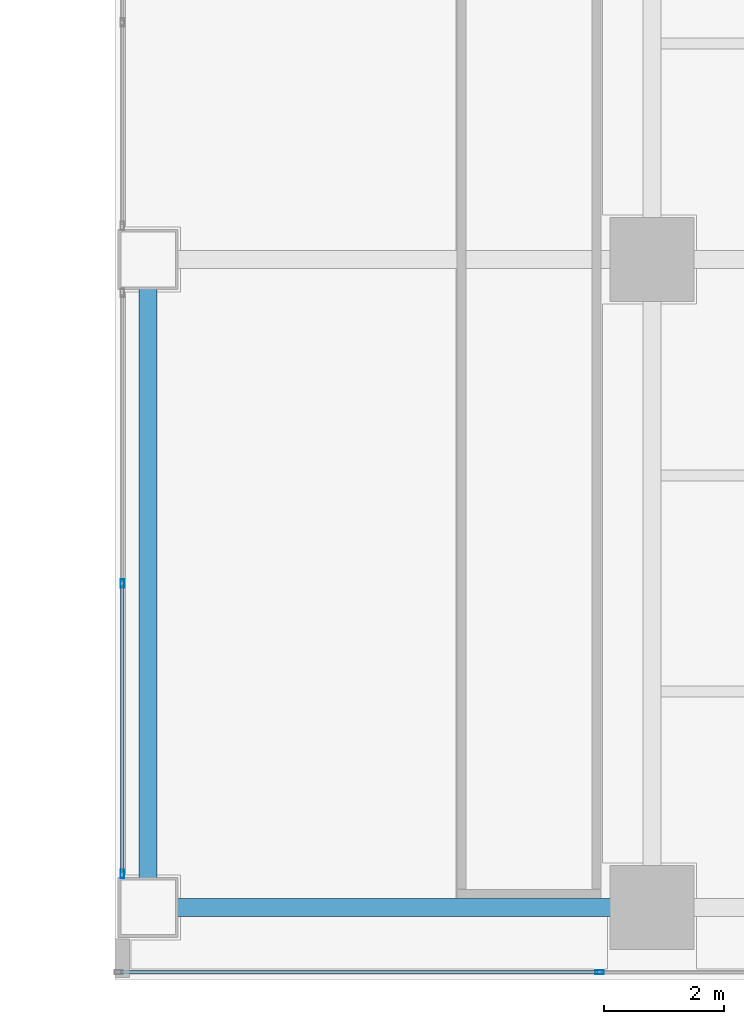
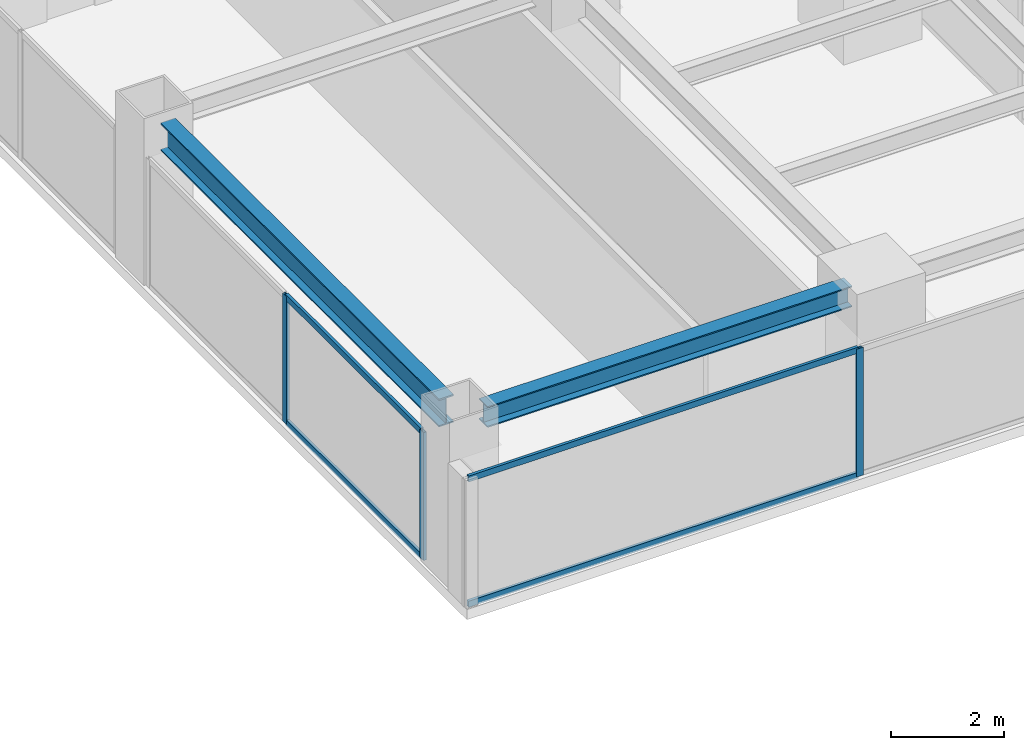
# One storey, part 12 of 28: 7 members, 2 beams, 2 elements without a shape of their own.
"""IFC4 building model written with IfcOpenShell, lengths in metres."""

from ifc_helpers import new_model, si_unit, direction, frame, origin, origin_2d, place, context, subcontext, project, spatial, hollow_rectangle, i_section, extrude, source, transform, mapped, material, layer, layer_set, material_profile, profile_set, type_object, element, aggregate, save


model = new_model("IFC4")

# Units and contexts
model_context = context("Model", 3, precision=1e-05, world=origin(), true_north=direction((0.0, 1.0)))
body_context = subcontext(model_context, "Body", "Model", "MODEL_VIEW")
ifc_project = project(units=[si_unit("LENGTHUNIT", "METRE"), si_unit("AREAUNIT", "SQUARE_METRE"), si_unit("VOLUMEUNIT", "CUBIC_METRE"), si_unit("PLANEANGLEUNIT", "RADIAN"), si_unit("MASSUNIT", "GRAM", prefix="KILO")], contexts=[model_context])

# Site, building, storey
site_placement = place(None, origin())
site = spatial("IfcSite", under=ifc_project, at=site_placement, CompositionType="ELEMENT")
building_placement = place(site_placement, origin())
building = spatial("IfcBuilding", under=site, at=building_placement, Name="Sumidabori Civic Tower", CompositionType="ELEMENT")
storey_placement = place(building_placement, frame((0.0, 0.0, 210.800048828125)))
storey = spatial("IfcBuildingStorey", under=building, at=storey_placement, Name="L54", CompositionType="ELEMENT", Elevation=210.800048828125)

# Beams
ifc_material_1 = material(Name="Steel SN490", Category="steel")
ifc_material_profile_1 = material_profile(ifc_material_1, i_section(OverallWidth=0.300048828125, OverallDepth=0.60009765625, WebThickness=0.015380859375, FlangeThickness=0.030029296875, at=origin_2d()), Name="HE 600 B")
ifc_profile_set_1 = profile_set([ifc_material_profile_1], Name="Steel SN490")
beam_type_1 = type_object("IfcBeamType", Name="BM-GIRD-600", PredefinedType="BEAM", material=ifc_profile_set_1)
shared_shape_1 = source(origin(), body_context, "Body", "SweptSolid", [
    extrude(i_section(OverallWidth=0.300048828125, OverallDepth=0.60009765625, WebThickness=0.015380859375, FlangeThickness=0.030029296875, at=origin_2d()), origin(), (0.0, 0.0, 1.0), 9.840087890625),
])
beam_1_placement = place(storey_placement, frame((8.39990234375, -10.320068359375, 3.079833984375), z_axis=(0.0, 1.0, 0.0), x_axis=(-1.0, 0.0, 0.0)))
element("IfcBeam", 1, at=beam_1_placement, inside=storey, type_object=beam_type_1, Name="Primary Girder L54 GY-18", PredefinedType="BEAM", context=body_context, shape_type="MappedRepresentation", body=[
    mapped(shared_shape_1, transform((0.0, 0.0, 0.0), x_axis=(1.0, 0.0, 0.0), y_axis=(0.0, 1.0, 0.0), z_axis=(0.0, 0.0, 1.0), scale=1.0)),
])
ifc_material_profile_2 = material_profile(ifc_material_1, i_section(OverallWidth=0.300048828125, OverallDepth=0.449951171875, WebThickness=0.013916015625, FlangeThickness=0.02587890625, at=origin_2d()), Name="HE 450 B")
ifc_profile_set_2 = profile_set([ifc_material_profile_2], Name="Steel SN490")
beam_type_2 = type_object("IfcBeamType", Name="BM-GIRD-450", PredefinedType="BEAM", material=ifc_profile_set_2)
shared_shape_2 = source(origin(), body_context, "Body", "SweptSolid", [
    extrude(i_section(OverallWidth=0.300048828125, OverallDepth=0.449951171875, WebThickness=0.013916015625, FlangeThickness=0.02587890625, at=origin_2d()), origin(), (0.0, 0.0, 1.0), 7.440185546875),
])
beam_2_placement = place(storey_placement, frame((8.8798828125, -10.800048828125, 3.155029296875), z_axis=(1.0, 0.0, 0.0), x_axis=(0.0, 1.0, 0.0)))
element("IfcBeam", 2, at=beam_2_placement, inside=storey, type_object=beam_type_2, Name="Primary Girder L54 GX-03", PredefinedType="BEAM", context=body_context, shape_type="MappedRepresentation", body=[
    mapped(shared_shape_2, transform((0.0, 0.0, 0.0), x_axis=(1.0, 0.0, 0.0), y_axis=(0.0, 1.0, 0.0), z_axis=(0.0, 0.0, 1.0), scale=1.0)),
])

# Curtain wall, members
ifc_material_2 = material(Name="Anodised Bronze Aluminium AW-6063-T6", Category="aluminium")
ifc_layer_1 = layer(ifc_material_2, 0.179931640625, Name="Anodised Bronze Aluminium AW-6063-T6")
ifc_layer_set_1 = layer_set([ifc_layer_1], Name="Anodised Bronze Aluminium AW-6063-T6")
curtain_wall_type_1 = type_object("IfcCurtainWallType", Name="CW-SYS-4", PredefinedType="NOTDEFINED", material=ifc_layer_set_1)
curtain_wall_1_placement = place(storey_placement, origin())
curtain_wall_1 = element("IfcCurtainWall", 3, at=curtain_wall_1_placement, inside=storey, type_object=curtain_wall_type_1, Name="Curtain Wall CW:L54:R07", PredefinedType="NOTDEFINED")
ifc_material_profile_3 = material_profile(ifc_material_2, hollow_rectangle(XDim=0.06005859375, YDim=0.139892578125, WallThickness=0.0048828125, at=origin_2d()), Name="ALU MULLION 140x60")
ifc_profile_set_3 = profile_set([ifc_material_profile_3], Name="Anodised Bronze Aluminium AW-6063-T6")
member_type_1 = type_object("IfcMemberType", Name="CW-MUL-140", PredefinedType="MULLION", material=ifc_profile_set_3)
shared_shape_3 = source(origin(), body_context, "Body", "SweptSolid", [
    extrude(hollow_rectangle(XDim=0.06005859375, YDim=0.139892578125, WallThickness=0.0048828125, at=origin_2d()), origin(), (0.0, 0.0, 1.0), 2.760009765625),
])
member_1_placement = place(storey_placement, frame((7.969970703125, -5.39990234375, 0.0), z_axis=(0.0, 0.0, 1.0), x_axis=(1.0, 0.0, 0.0)))
member_1 = element("IfcMember", 4, at=member_1_placement, type_object=member_type_1, Name="CW-4 mullion 2", PredefinedType="MULLION", context=body_context, shape_type="MappedRepresentation", body=[
    mapped(shared_shape_3, transform((0.0, 0.0, 0.0), x_axis=(1.0, 0.0, 0.0), y_axis=(0.0, 1.0, 0.0), z_axis=(0.0, 0.0, 1.0), scale=1.0)),
])
member_2_placement = place(storey_placement, frame((7.969970703125, -10.239990234375, 0.0), z_axis=(0.0, 0.0, 1.0), x_axis=(1.0, 0.0, 0.0)))
member_2 = element("IfcMember", 5, at=member_2_placement, type_object=member_type_1, Name="CW-4 mullion 3", PredefinedType="MULLION", context=body_context, shape_type="MappedRepresentation", body=[
    mapped(shared_shape_3, transform((0.0, 0.0, 0.0), x_axis=(1.0, 0.0, 0.0), y_axis=(0.0, 1.0, 0.0), z_axis=(0.0, 0.0, 1.0), scale=1.0)),
])

ifc_layer_2 = layer(ifc_material_2, 0.179931640625, Name="Anodised Bronze Aluminium AW-6063-T6")
ifc_layer_set_2 = layer_set([ifc_layer_2], Name="Anodised Bronze Aluminium AW-6063-T6")
curtain_wall_type_2 = type_object("IfcCurtainWallType", Name="CW-SYS-5", PredefinedType="NOTDEFINED", material=ifc_layer_set_2)
curtain_wall_2_placement = place(storey_placement, origin())
curtain_wall_2 = element("IfcCurtainWall", 6, at=curtain_wall_2_placement, inside=storey, type_object=curtain_wall_type_2, Name="Curtain Wall CW:L54:R09", PredefinedType="NOTDEFINED")
member_3_placement = place(storey_placement, frame((15.925048828125, -11.8798828125, 0.0), z_axis=(0.0, 0.0, 1.0), x_axis=(0.0, 1.0, 0.0)))
member_3 = element("IfcMember", 7, at=member_3_placement, type_object=member_type_1, Name="CW-5 mullion 2", PredefinedType="MULLION", context=body_context, shape_type="MappedRepresentation", body=[
    mapped(shared_shape_3, transform((0.0, 0.0, 0.0), x_axis=(1.0, 0.0, 0.0), y_axis=(0.0, 1.0, 0.0), z_axis=(0.0, 0.0, 1.0), scale=1.0)),
])
ifc_material_profile_4 = material_profile(ifc_material_2, hollow_rectangle(XDim=0.06005859375, YDim=0.1298828125, WallThickness=0.0048828125, at=origin_2d()), Name="ALU TRANSOM 130x60")
ifc_profile_set_4 = profile_set([ifc_material_profile_4], Name="Anodised Bronze Aluminium AW-6063-T6")
member_type_2 = type_object("IfcMemberType", Name="CW-TRN-130", PredefinedType="USERDEFINED", material=ifc_profile_set_4)
shared_shape_4 = source(origin(), body_context, "Body", "SweptSolid", [
    extrude(hollow_rectangle(XDim=0.06005859375, YDim=0.1298828125, WallThickness=0.0048828125, at=origin_2d()), origin(), (0.0, 0.0, 1.0), 7.955078125),
])
member_4_placement = place(storey_placement, frame((7.93994140625, -11.8798828125, 0.030029296875), z_axis=(1.0, 0.0, 0.0), x_axis=(0.0, 1.0, 0.0)))
member_4 = element("IfcMember", 8, at=member_4_placement, type_object=member_type_2, Name="CW-5 transom 1.1", ObjectType="TRANSOM", PredefinedType="USERDEFINED", context=body_context, shape_type="MappedRepresentation", body=[
    mapped(shared_shape_4, transform((0.0, 0.0, 0.0), x_axis=(1.0, 0.0, 0.0), y_axis=(0.0, 1.0, 0.0), z_axis=(0.0, 0.0, 1.0), scale=1.0)),
])
member_5_placement = place(storey_placement, frame((7.93994140625, -11.8798828125, 2.72998046875), z_axis=(1.0, 0.0, 0.0), x_axis=(0.0, 1.0, 0.0)))
member_5 = element("IfcMember", 9, at=member_5_placement, type_object=member_type_2, Name="CW-5 transom 1.2", ObjectType="TRANSOM", PredefinedType="USERDEFINED", context=body_context, shape_type="MappedRepresentation", body=[
    mapped(shared_shape_4, transform((0.0, 0.0, 0.0), x_axis=(1.0, 0.0, 0.0), y_axis=(0.0, 1.0, 0.0), z_axis=(0.0, 0.0, 1.0), scale=1.0)),
])
aggregate(curtain_wall_2, [member_3, member_4, member_5])

# Member
shared_shape_5 = source(origin(), body_context, "Body", "SweptSolid", [
    extrude(hollow_rectangle(XDim=0.06005859375, YDim=0.1298828125, WallThickness=0.0048828125, at=origin_2d()), origin(), (0.0, 0.0, 1.0), 4.780029296875),
])
member_6_placement = place(storey_placement, frame((7.969970703125, -5.429931640625, 0.030029296875), z_axis=(0.0, -1.0, 0.0), x_axis=(1.0, 0.0, 0.0)))
member_6 = element("IfcMember", 10, at=member_6_placement, type_object=member_type_2, Name="CW-4 transom 2.1", ObjectType="TRANSOM", PredefinedType="USERDEFINED", context=body_context, shape_type="MappedRepresentation", body=[
    mapped(shared_shape_5, transform((0.0, 0.0, 0.0), x_axis=(1.0, 0.0, 0.0), y_axis=(0.0, 1.0, 0.0), z_axis=(0.0, 0.0, 1.0), scale=1.0)),
])

member_7_placement = place(storey_placement, frame((7.969970703125, -5.429931640625, 2.72998046875), z_axis=(0.0, -1.0, 0.0), x_axis=(1.0, 0.0, 0.0)))
member_7 = element("IfcMember", 11, at=member_7_placement, type_object=member_type_2, Name="CW-4 transom 2.2", ObjectType="TRANSOM", PredefinedType="USERDEFINED", context=body_context, shape_type="MappedRepresentation", body=[
    mapped(shared_shape_5, transform((0.0, 0.0, 0.0), x_axis=(1.0, 0.0, 0.0), y_axis=(0.0, 1.0, 0.0), z_axis=(0.0, 0.0, 1.0), scale=1.0)),
])

aggregate(curtain_wall_1, [member_1, member_2, member_6, member_7])

save(model, "model.ifc")
